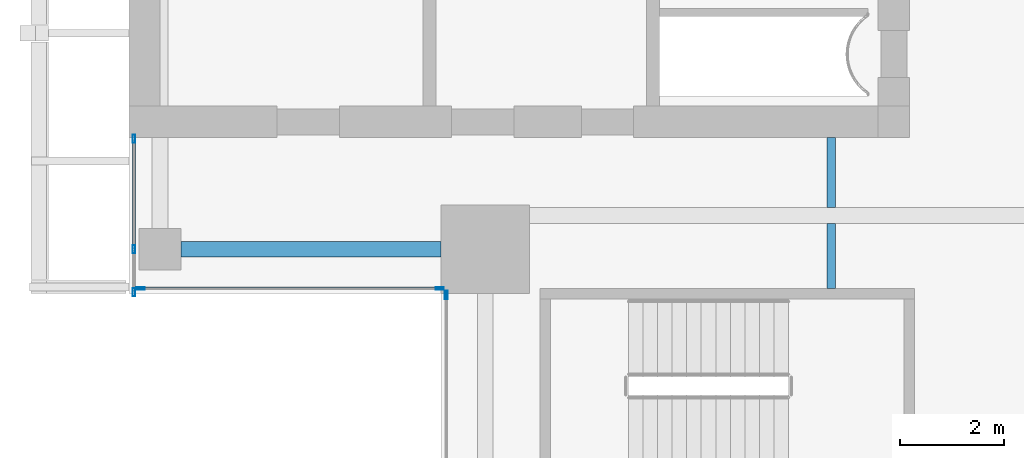
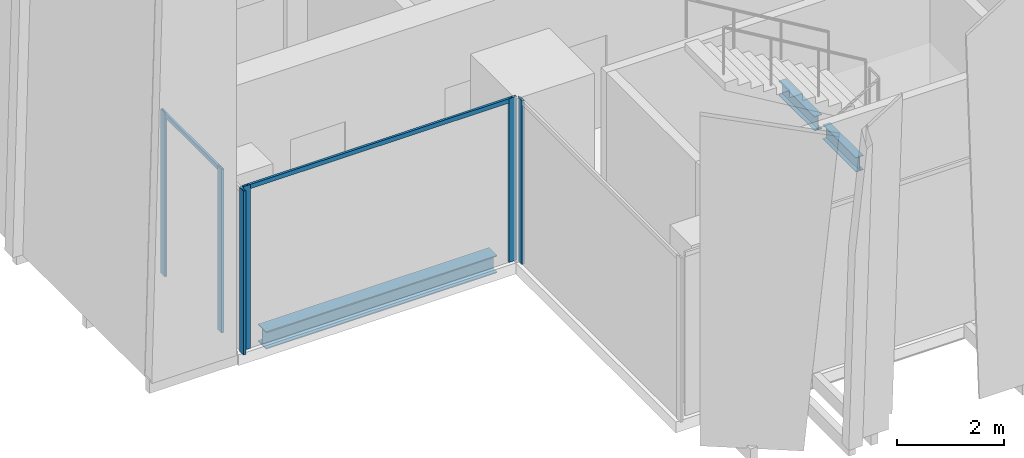
# One storey, part 3 of 32: 8 members, 3 beams, 3 elements without a shape of their own.
"""IFC4 building model written with IfcOpenShell, lengths in metres."""

from ifc_helpers import new_model, si_unit, direction, frame, origin, origin_2d, place, context, subcontext, project, spatial, hollow_rectangle, i_section, extrude, source, transform, mapped, material, material_profile, profile_set, type_object, element, aggregate, save


model = new_model("IFC4")

# Units and contexts
model_context = context("Model", 3, precision=1e-05, world=origin(), true_north=direction((0.0, 1.0)))
body_context = subcontext(model_context, "Body", "Model", "MODEL_VIEW")
ifc_project = project(units=[si_unit("LENGTHUNIT", "METRE"), si_unit("AREAUNIT", "SQUARE_METRE"), si_unit("VOLUMEUNIT", "CUBIC_METRE"), si_unit("PLANEANGLEUNIT", "RADIAN"), si_unit("MASSUNIT", "GRAM", prefix="KILO")], contexts=[model_context])

# Site, building, storey
site_placement = place(None, origin())
site = spatial("IfcSite", under=ifc_project, at=site_placement, CompositionType="ELEMENT")
building_placement = place(site_placement, origin())
building = spatial("IfcBuilding", under=site, at=building_placement, Name="Khomas Fold Tower", CompositionType="ELEMENT")
storey_placement = place(building_placement, frame((0.0, 0.0, 306.199951171875)))
storey = spatial("IfcBuildingStorey", under=building, at=storey_placement, Name="L69", CompositionType="ELEMENT", Elevation=306.199951171875)

# Beams
ifc_material_1 = material(Name="Steel S355", Category="steel")
ifc_material_profile_1 = material_profile(ifc_material_1, i_section(OverallWidth=0.159912109375, OverallDepth=0.330078125, WebThickness=0.007568359375, FlangeThickness=0.011474609375, at=origin_2d()), Name="IPE 330")
ifc_profile_set_1 = profile_set([ifc_material_profile_1], Name="Steel S355")
beam_type_1 = type_object("IfcBeamType", Name="IPE 330 beam JB1", PredefinedType="BEAM", material=ifc_profile_set_1)
shared_shape_1 = source(origin(), body_context, "Body", "SweptSolid", [
    extrude(i_section(OverallWidth=0.159912109375, OverallDepth=0.330078125, WebThickness=0.007568359375, FlangeThickness=0.011474609375, at=origin_2d()), origin(), (0.0, 0.0, 1.0), 1.25),
])
beam_1_placement = place(storey_placement, frame((19.5, 12.10009765625, -0.4150390625), z_axis=(0.0, 1.0, 0.0), x_axis=(-1.0, 0.0, 0.0)))
element("IfcBeam", 1, at=beam_1_placement, inside=storey, type_object=beam_type_1, Name="JB1", PredefinedType="BEAM", context=body_context, shape_type="MappedRepresentation", body=[
    mapped(shared_shape_1, transform((0.0, 0.0, 0.0))),
])
shared_shape_2 = source(origin(), body_context, "Body", "SweptSolid", [
    extrude(i_section(OverallWidth=0.159912109375, OverallDepth=0.330078125, WebThickness=0.007568359375, FlangeThickness=0.011474609375, at=origin_2d()), origin(), (0.0, 0.0, 1.0), 1.35009765625),
])
beam_2_placement = place(storey_placement, frame((19.5, 13.64990234375, -0.4150390625), z_axis=(0.0, 1.0, 0.0), x_axis=(-1.0, 0.0, 0.0)))
element("IfcBeam", 2, at=beam_2_placement, inside=storey, type_object=beam_type_1, Name="JB1", PredefinedType="BEAM", context=body_context, shape_type="MappedRepresentation", body=[
    mapped(shared_shape_2, transform((0.0, 0.0, 0.0))),
])
ifc_material_2 = material(Name="Steel S355", Category="steel")
ifc_material_profile_2 = material_profile(ifc_material_2, i_section(OverallWidth=0.300048828125, OverallDepth=0.39990234375, WebThickness=0.013427734375, FlangeThickness=0.02392578125, at=origin_2d()), Name="HE 400 B")
ifc_profile_set_2 = profile_set([ifc_material_profile_2], Name="Steel S355")
beam_type_2 = type_object("IfcBeamType", Name="HE 400 B spandrel SB5", PredefinedType="SPANDREL", material=ifc_profile_set_2)
shared_shape_3 = source(origin(), body_context, "Body", "SweptSolid", [
    extrude(i_section(OverallWidth=0.300048828125, OverallDepth=0.39990234375, WebThickness=0.013427734375, FlangeThickness=0.02392578125, at=origin_2d()), origin(), (0.0, 0.0, 1.0), 5.0),
])
beam_3_placement = place(storey_placement, frame((7.0, 12.85009765625, -0.449951171875), z_axis=(1.0, 0.0, 0.0), x_axis=(0.0, 1.0, 0.0)))
element("IfcBeam", 3, at=beam_3_placement, inside=storey, type_object=beam_type_2, Name="SB5", PredefinedType="SPANDREL", context=body_context, shape_type="MappedRepresentation", body=[
    mapped(shared_shape_3, transform((0.0, 0.0, 0.0))),
])

# Curtain wall, members
ifc_material_3 = material(Name="Aluminium framed double glazing", Category="aluminium")
curtain_wall_type = type_object("IfcCurtainWallType", Name="SK-Unitised clear-glass wall, upper floors CW3", PredefinedType="NOTDEFINED", material=ifc_material_3)
curtain_wall_1_placement = place(storey_placement, origin())
curtain_wall_1 = element("IfcCurtainWall", 4, at=curtain_wall_1_placement, inside=storey, type_object=curtain_wall_type, Name="CW3 run L69 09-1", PredefinedType="NOTDEFINED")
ifc_material_4 = material(Name="Aluminium", Category="aluminium")
ifc_material_profile_3 = material_profile(ifc_material_4, hollow_rectangle(XDim=0.050048828125, YDim=0.159912109375, WallThickness=0.00390625, at=origin_2d()), Name="SK-Unitised clear-glass wall, upper floors mullion CW3-M")
ifc_profile_set_3 = profile_set([ifc_material_profile_3], Name="Aluminium")
member_type_1 = type_object("IfcMemberType", Name="SK-Unitised clear-glass wall, upper floors mullion CW3-M", PredefinedType="MULLION", material=ifc_profile_set_3)
shared_shape_4 = source(origin(), body_context, "Body", "SweptSolid", [
    extrude(hollow_rectangle(XDim=0.050048828125, YDim=0.159912109375, WallThickness=0.00390625, at=origin_2d()), origin(), (0.0, 0.0, 1.0), 3.75),
])
member_1_placement = place(storey_placement, frame((6.10009765625, 14.97509765625, 0.0), z_axis=(0.0, 0.0, 1.0), x_axis=(1.0, 0.0, 0.0)))
member_1 = element("IfcMember", 5, at=member_1_placement, type_object=member_type_1, Name="CW3 mullion 1", PredefinedType="MULLION", context=body_context, shape_type="MappedRepresentation", body=[
    mapped(shared_shape_4, transform((0.0, 0.0, 0.0))),
])
member_2_placement = place(storey_placement, frame((6.10009765625, 12.85009765625, 0.0), z_axis=(0.0, 0.0, 1.0), x_axis=(1.0, 0.0, 0.0)))
member_2 = element("IfcMember", 6, at=member_2_placement, type_object=member_type_1, Name="CW3 mullion 2", PredefinedType="MULLION", context=body_context, shape_type="MappedRepresentation", body=[
    mapped(shared_shape_4, transform((0.0, 0.0, 0.0))),
])
member_3_placement = place(storey_placement, frame((6.10009765625, 12.02490234375, 0.0), z_axis=(0.0, 0.0, 1.0), x_axis=(1.0, 0.0, 0.0)))
member_3 = element("IfcMember", 7, at=member_3_placement, type_object=member_type_1, Name="CW3 mullion 3", PredefinedType="MULLION", context=body_context, shape_type="MappedRepresentation", body=[
    mapped(shared_shape_4, transform((0.0, 0.0, 0.0))),
])

curtain_wall_2_placement = place(storey_placement, origin())
curtain_wall_2 = element("IfcCurtainWall", 8, at=curtain_wall_2_placement, inside=storey, type_object=curtain_wall_type, Name="CW3 corner return L69 10", PredefinedType="NOTDEFINED")
member_4_placement = place(storey_placement, frame((6.22509765625, 12.10009765625, 0.0), z_axis=(0.0, 0.0, 1.0), x_axis=(0.0, 1.0, 0.0)))
member_4 = element("IfcMember", 9, at=member_4_placement, type_object=member_type_1, Name="CW3 mullion 1", PredefinedType="MULLION", context=body_context, shape_type="MappedRepresentation", body=[
    mapped(shared_shape_4, transform((0.0, 0.0, 0.0))),
])
member_5_placement = place(storey_placement, frame((11.97509765625, 12.10009765625, 0.0), z_axis=(0.0, 0.0, 1.0), x_axis=(0.0, 1.0, 0.0)))
member_5 = element("IfcMember", 10, at=member_5_placement, type_object=member_type_1, Name="CW3 mullion 2", PredefinedType="MULLION", context=body_context, shape_type="MappedRepresentation", body=[
    mapped(shared_shape_4, transform((0.0, 0.0, 0.0))),
])

# Curtain wall, member
curtain_wall_3_placement = place(storey_placement, origin())
curtain_wall_3 = element("IfcCurtainWall", 11, at=curtain_wall_3_placement, inside=storey, type_object=curtain_wall_type, Name="CW3 corner return L69 11", PredefinedType="NOTDEFINED")
member_6_placement = place(storey_placement, frame((12.10009765625, 11.97509765625, 0.0), z_axis=(0.0, 0.0, 1.0), x_axis=(1.0, 0.0, 0.0)))
member_6 = element("IfcMember", 12, at=member_6_placement, type_object=member_type_1, Name="CW3 mullion 1", PredefinedType="MULLION", context=body_context, shape_type="MappedRepresentation", body=[
    mapped(shared_shape_4, transform((0.0, 0.0, 0.0))),
])
aggregate(curtain_wall_3, [member_6])

# Member
ifc_material_5 = material(Name="Aluminium", Category="aluminium")
ifc_material_profile_4 = material_profile(ifc_material_5, hollow_rectangle(XDim=0.050048828125, YDim=0.10009765625, WallThickness=0.00390625, at=origin_2d()), Name="SK-Unitised clear-glass wall, upper floors transom CW3-T")
ifc_profile_set_4 = profile_set([ifc_material_profile_4], Name="Aluminium")
member_type_2 = type_object("IfcMemberType", Name="SK-Unitised clear-glass wall, upper floors transom CW3-T", PredefinedType="USERDEFINED", material=ifc_profile_set_4)
shared_shape_5 = source(origin(), body_context, "Body", "SweptSolid", [
    extrude(hollow_rectangle(XDim=0.050048828125, YDim=0.10009765625, WallThickness=0.00390625, at=origin_2d()), origin(), (0.0, 0.0, 1.0), 5.699951171875),
])
member_7_placement = place(storey_placement, frame((6.25, 12.10009765625, 3.699951171875), z_axis=(1.0, 0.0, 0.0), x_axis=(0.0, 1.0, 0.0)))
member_7 = element("IfcMember", 13, at=member_7_placement, type_object=member_type_2, Name="CW3 transom 1", ObjectType="TRANSOM", PredefinedType="USERDEFINED", context=body_context, shape_type="MappedRepresentation", body=[
    mapped(shared_shape_5, transform((0.0, 0.0, 0.0))),
])

aggregate(curtain_wall_2, [member_4, member_5, member_7])

shared_shape_6 = source(origin(), body_context, "Body", "SweptSolid", [
    extrude(hollow_rectangle(XDim=0.050048828125, YDim=0.10009765625, WallThickness=0.00390625, at=origin_2d()), origin(), (0.0, 0.0, 1.0), 2.074951171875),
])
member_8_placement = place(storey_placement, frame((6.10009765625, 14.949951171875, 3.699951171875), z_axis=(0.0, -1.0, 0.0), x_axis=(1.0, 0.0, 0.0)))
member_8 = element("IfcMember", 14, at=member_8_placement, type_object=member_type_2, Name="CW3 transom 1", ObjectType="TRANSOM", PredefinedType="USERDEFINED", context=body_context, shape_type="MappedRepresentation", body=[
    mapped(shared_shape_6, transform((0.0, 0.0, 0.0))),
])

aggregate(curtain_wall_1, [member_1, member_2, member_3, member_8])

save(model, "model.ifc")
